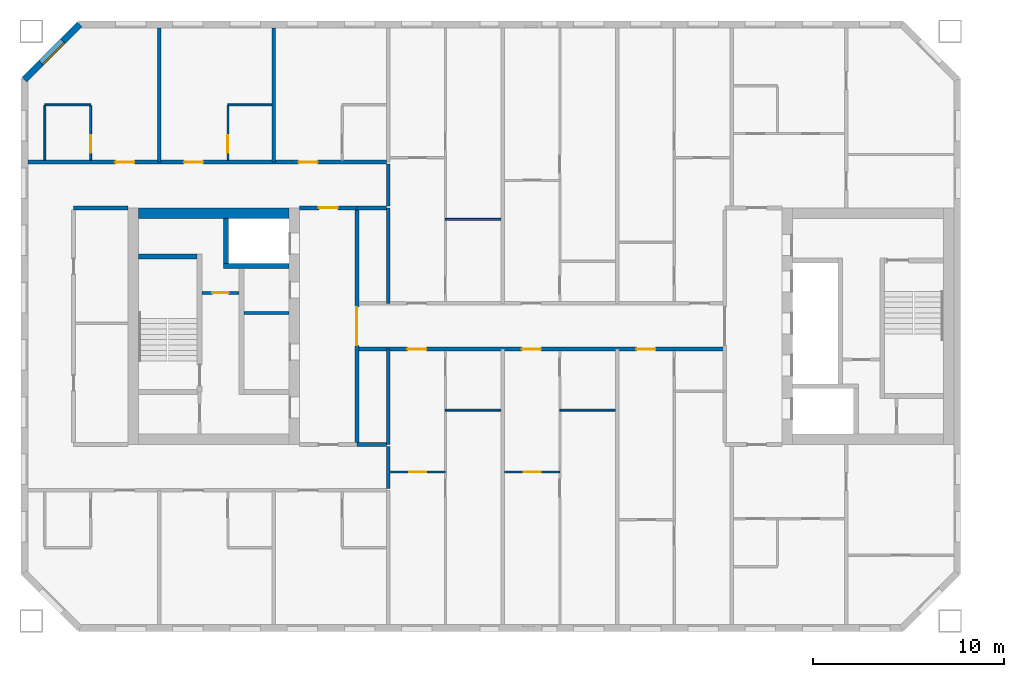
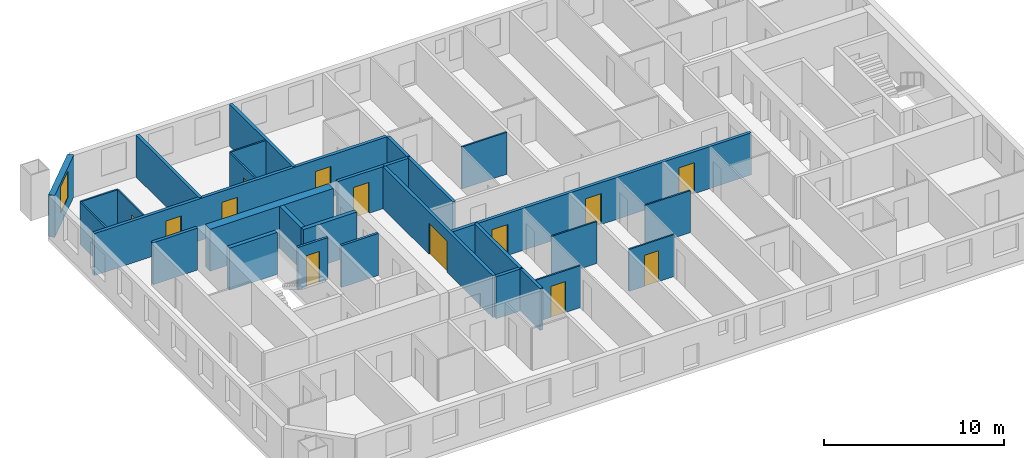
# One storey, part 4 of 16: 30 walls, 13 doors, 1 window, 14 openings.
"""IFC4 building model written with IfcOpenShell, lengths in metres."""

import ifcopenshell
import ifcopenshell.guid

model = None  # the IFC model being written
_history = None  # IfcOwnerHistory: only IFC2X3 demands one
_inside = {}  # id of a spatial element -> (the spatial element, [elements in it])
_under = {}  # id of a project, library or spatial element -> (it, [spatial elements below it])
_declared = {}  # id of a project -> (the project, [libraries it declares])
_typed = {}  # id of a type object -> (the type object, [elements of that type])
_made_of = {}  # id of a material, layer set ... -> (it, [elements and type objects made of it])


def new_model(schema):
    """Start an empty IFC model of exactly this schema.

    Asked for "IFC4X3", IfcOpenShell would pick the latest addendum, in which some entities
    have other attributes; the version numbers below select the first issue.
    IFC2X3 requires an IfcOwnerHistory on every rooted entity: one is made here for all.
    """
    global model, _history
    if schema == "IFC4X3":
        model = ifcopenshell.file(schema_version=(4, 3, 0, 0))
    else:
        model = ifcopenshell.file(schema=schema)
    _inside.clear()
    _under.clear()
    _declared.clear()
    _typed.clear()
    _made_of.clear()
    _history = None
    if model.schema == "IFC2X3":
        org = make("IfcOrganization", Name="unknown")
        user = make(
            "IfcPersonAndOrganization",
            ThePerson=make("IfcPerson", FamilyName="unknown"),
            TheOrganization=org,
        )
        app = make(
            "IfcApplication",
            ApplicationDeveloper=org,
            Version="unknown",
            ApplicationFullName="unknown",
            ApplicationIdentifier="unknown",
        )
        _history = make(
            "IfcOwnerHistory",
            OwningUser=user,
            OwningApplication=app,
            ChangeAction="ADDED",
            CreationDate=0,
        )
    return model


def make(cls, **values):
    """One entity of the class cls with the attributes given. An attribute that is None is left unset."""
    return model.create_entity(
        cls, **{name: value for name, value in values.items() if value is not None}
    )


def rooted(cls, **values):
    """An entity with a GlobalId (a new one), such as an element, a storey or a relation."""
    return make(cls, GlobalId=ifcopenshell.guid.new(), OwnerHistory=_history, **values)


def si_unit(unit_type, name, prefix=None):
    """IfcSIUnit, for example si_unit("LENGTHUNIT", "METRE", prefix="MILLI")."""
    return make("IfcSIUnit", UnitType=unit_type, Prefix=prefix, Name=name)


def assignment(units):
    """IfcUnitAssignment: the units of a project."""
    return None if units is None else make("IfcUnitAssignment", Units=units)


def point(xyz):
    """IfcCartesianPoint."""
    return None if xyz is None else make("IfcCartesianPoint", Coordinates=xyz)


def direction(xyz):
    """IfcDirection."""
    return None if xyz is None else make("IfcDirection", DirectionRatios=xyz)


def frame(location, z_axis=None, x_axis=None):
    """IfcAxis2Placement3D, a coordinate frame: its origin and axes. An axis left out is left unset."""
    return make(
        "IfcAxis2Placement3D",
        Location=point(location),
        Axis=direction(z_axis),
        RefDirection=direction(x_axis),
    )


def frame_2d(location, x_axis=None):
    """IfcAxis2Placement2D, a coordinate frame in the plane: its origin and x axis."""
    return make(
        "IfcAxis2Placement2D", Location=point(location), RefDirection=direction(x_axis)
    )


def origin():
    """The frame at (0, 0, 0) with its axes left unset."""
    return frame((0.0, 0.0, 0.0))


def place(relative_to, where):
    """IfcLocalPlacement: puts the frame where relative to a parent placement (None: the world)."""
    return make(
        "IfcLocalPlacement", PlacementRelTo=relative_to, RelativePlacement=where
    )


def context(
    kind, dimensions, precision=None, world=None, true_north=None, identifier=None
):
    """IfcGeometricRepresentationContext, for example the 3D "Model" context."""
    return make(
        "IfcGeometricRepresentationContext",
        ContextIdentifier=identifier,
        ContextType=kind,
        CoordinateSpaceDimension=dimensions,
        Precision=precision,
        WorldCoordinateSystem=world,
        TrueNorth=true_north,
    )


def subcontext(parent, identifier, kind, view, scale=None):
    """IfcGeometricRepresentationSubContext, for example "Body" below "Model"."""
    return make(
        "IfcGeometricRepresentationSubContext",
        ContextIdentifier=identifier,
        ContextType=kind,
        ParentContext=parent,
        TargetScale=scale,
        TargetView=view,
    )


def project(units=None, contexts=None):
    """IfcProject with its units and contexts."""
    return rooted(
        "IfcProject",
        Name="project",
        RepresentationContexts=contexts,
        UnitsInContext=assignment(units),
    )


def spatial(cls, under=None, at=None, **own):
    """A site, building, storey or space (cls), placed at a placement, below another one or the project."""
    s = rooted(cls, ObjectPlacement=at, **own)
    if under is not None:
        _under.setdefault(under.id(), (under, []))[1].append(s)
    return s


def profile(cls, at=None, kind="AREA", **sizes):
    """A parametric profile (cls). Its sizes go by their IFC names, for example OverallWidth=200.0."""
    return make(cls, ProfileType=kind, Position=at, **sizes)


def rectangle(**sizes):
    """IfcRectangleProfileDef."""
    return profile("IfcRectangleProfileDef", **sizes)


def extrude(swept, where, along, depth):
    """IfcExtrudedAreaSolid: the profile swept, set in the frame where, extruded along a direction by depth."""
    return make(
        "IfcExtrudedAreaSolid",
        SweptArea=swept,
        Position=where,
        ExtrudedDirection=direction(along),
        Depth=depth,
    )


def shape(context_of_items, identifier, shape_type, items):
    """IfcShapeRepresentation: the items that make up one representation, for example the "Body"."""
    return make(
        "IfcShapeRepresentation",
        ContextOfItems=context_of_items,
        RepresentationIdentifier=identifier,
        RepresentationType=shape_type,
        Items=items,
    )


def material(Name=None, Category=None):
    """IfcMaterial."""
    return make("IfcMaterial", Name=Name, Category=Category)


def layer(
    of_material, thickness, ventilated=None, Name=None, Category=None, Priority=None
):
    """IfcMaterialLayer: one layer of a wall or slab, of a material (None: an air gap)."""
    return make(
        "IfcMaterialLayer",
        Material=of_material,
        LayerThickness=thickness,
        IsVentilated=ventilated,
        Name=Name,
        Category=Category,
        Priority=Priority,
    )


def layer_set(layers, Name=None):
    """IfcMaterialLayerSet."""
    return make("IfcMaterialLayerSet", MaterialLayers=layers, LayerSetName=Name)


def made_of(thing, what):
    """Note that an element or type object is made of a material, layer set ...; save() writes the relation."""
    if what is not None:
        _made_of.setdefault(what.id(), (what, []))[1].append(thing)
    return thing


def type_object(cls, material=None, **own):
    """A type object (cls), such as IfcWallType, which elements share."""
    return made_of(rooted(cls, **own), material)


def element(
    cls,
    number,
    at=None,
    inside=None,
    cuts=None,
    type_object=None,
    material=None,
    context=None,
    identifier="Body",
    shape_type=None,
    held_by="IfcProductDefinitionShape",
    body=None,
    shapes=None,
    **own,
):
    """One element of the class cls, such as IfcWall. Its Tag is "e" and its number.

    at: its placement. inside: the storey or other place that contains it. cuts: it is an
    opening in that element (IfcRelVoidsElement). A single representation is given by context,
    identifier, shape_type and body (its items); several are given by shapes. held_by: the class
    of the entity that holds the representations. save() writes the other relations.
    """
    e = rooted(cls, Tag="e%d" % number, ObjectPlacement=at, **own)
    if body is not None:
        shapes = [shape(context, identifier, shape_type, body)]
    if shapes is not None:
        e.Representation = make(held_by, Representations=shapes)
    if inside is not None:
        _inside.setdefault(inside.id(), (inside, []))[1].append(e)
    if cuts is not None:
        rooted(
            "IfcRelVoidsElement", RelatingBuildingElement=cuts, RelatedOpeningElement=e
        )
    if type_object is not None:
        _typed.setdefault(type_object.id(), (type_object, []))[1].append(e)
    return made_of(e, material)


def fill(opening, filler):
    """IfcRelFillsElement: the door or window that sits in an opening."""
    return rooted(
        "IfcRelFillsElement",
        RelatingOpeningElement=opening,
        RelatedBuildingElement=filler,
    )


def aggregate(whole, parts):
    """IfcRelAggregates: a whole, such as a stair, and the parts it consists of."""
    return rooted("IfcRelAggregates", RelatingObject=whole, RelatedObjects=parts)


def save(model, path):
    """Write the relations noted so far, then the file.

    IfcRelAggregates (storeys below a building ...), IfcRelContainedInSpatialStructure (elements
    in a storey), IfcRelDefinesByType, IfcRelAssociatesMaterial and IfcRelDeclares: one each for
    every whole, place, type object, material and project.
    """
    for whole, parts in _under.values():
        aggregate(whole, parts)
    for where, things in _inside.values():
        rooted(
            "IfcRelContainedInSpatialStructure",
            RelatedElements=things,
            RelatingStructure=where,
        )
    for kind, things in _typed.values():
        rooted("IfcRelDefinesByType", RelatedObjects=things, RelatingType=kind)
    for what, things in _made_of.values():
        rooted("IfcRelAssociatesMaterial", RelatedObjects=things, RelatingMaterial=what)
    for by, libraries in _declared.values():
        rooted("IfcRelDeclares", RelatingContext=by, RelatedDefinitions=libraries)
    model.write(path)


model = new_model("IFC4")

# Units and contexts
model_context = context("Model", 3, precision=1e-05, world=origin(), true_north=direction((0.0, 1.0)))
body_context = subcontext(model_context, "Body", "Model", "MODEL_VIEW")
ifc_project = project(units=[si_unit("LENGTHUNIT", "METRE"), si_unit("AREAUNIT", "SQUARE_METRE"), si_unit("VOLUMEUNIT", "CUBIC_METRE"), si_unit("PLANEANGLEUNIT", "RADIAN"), si_unit("MASSUNIT", "GRAM", prefix="KILO")], contexts=[model_context])

# Site, building, storey
site_placement = place(None, origin())
site = spatial("IfcSite", under=ifc_project, at=site_placement, CompositionType="ELEMENT")
building_placement = place(site_placement, origin())
building = spatial("IfcBuilding", under=site, at=building_placement, Name="Tuart Gate Housing", CompositionType="ELEMENT")
storey_placement = place(building_placement, frame((0.0, 0.0, 139.199951171875)))
storey = spatial("IfcBuildingStorey", under=building, at=storey_placement, Name="L39", CompositionType="ELEMENT", Elevation=139.199951171875)

# Wall, opening, window
ifc_material_1 = material(Name="Brick", Category="masonry")
ifc_layer_1 = layer(ifc_material_1, 0.360107421875)
ifc_layer_set_1 = layer_set([ifc_layer_1], Name="Brick pier and spandrel wall 360")
wall_type_1 = type_object("IfcWallType", Name="Brick pier and spandrel wall 360", PredefinedType="STANDARD", material=ifc_layer_set_1)
wall_1_placement = place(storey_placement, frame((29.82470703125, 85.820068359375, 0.0), z_axis=(0.0, 0.0, 1.0), x_axis=(-0.707106781187, -0.707106781187, 0.0)))
wall_1 = element("IfcWall", 1, at=wall_1_placement, inside=storey, type_object=wall_type_1, Name="External wall A-NW L39", PredefinedType="STANDARD", context=body_context, shape_type="SweptSolid", body=[
    extrude(rectangle(XDim=4.09375, YDim=0.360107421875, at=frame_2d((2.046875, 0.0))), origin(), (0.0, 0.0, 1.0), 2.85009765625),
])
opening_1_placement = place(wall_1_placement, frame((1.2470703125, 0.0, 0.800048828125)))
opening_1 = element("IfcOpeningElement", 2, at=opening_1_placement, cuts=wall_1, Name="Opening W1", PredefinedType="OPENING", context=body_context, shape_type="SweptSolid", body=[
    extrude(rectangle(XDim=1.60009765625, YDim=1.800048828125, at=frame_2d((0.800048828125, 0.89990234375))), frame((0.0, 0.18994140625, 0.0), z_axis=(0.0, -1.0, 0.0), x_axis=(1.0, 0.0, 0.0)), (0.0, 0.0, 1.0), 0.380126953125),
])
ifc_material_2 = material(Name="Aluminium frame with clear glass", Category="aluminium")
window_type = type_object("IfcWindowType", Name="Punched window 1600 x 1800", PartitioningType="SINGLE_PANEL", PredefinedType="WINDOW", material=ifc_material_2)
window_placement = place(opening_1_placement, origin())
window = element("IfcWindow", 3, at=window_placement, inside=storey, type_object=window_type, Name="Window W1", OverallHeight=1.800048828125, OverallWidth=1.60009765625, PartitioningType="SINGLE_PANEL", PredefinedType="WINDOW", context=body_context, shape_type="SweptSolid", body=[
    extrude(rectangle(XDim=1.60009765625, YDim=1.800048828125, at=frame_2d((0.800048828125, 0.89990234375))), frame((0.0, 0.150146484375, 0.0), z_axis=(0.0, -1.0, 0.0), x_axis=(1.0, 0.0, 0.0)), (0.0, 0.0, 1.0), 0.06005859375),
])
fill(opening_1, window)

# Wall, opening, door
ifc_material_3 = material(Name="Plasterboard partition")
ifc_layer_2 = layer(ifc_material_3, 0.14990234375)
ifc_layer_set_2 = layer_set([ifc_layer_2], Name="Core partition 150")
wall_type_2 = type_object("IfcWallType", Name="Core partition 150", PredefinedType="PARTITIONING", material=ifc_layer_set_2)
wall_2_placement = place(storey_placement, frame((38.18505859375, 71.75, 0.0), z_axis=(0.0, 0.0, 1.0), x_axis=(-1.0, 0.0, 0.0)))
wall_2 = element("IfcWall", 4, at=wall_2_placement, inside=storey, type_object=wall_type_2, Name="Core partition AK.3", PredefinedType="PARTITIONING", context=body_context, shape_type="SweptSolid", body=[
    extrude(rectangle(XDim=1.949951171875, YDim=0.14990234375, at=frame_2d((0.97509765625, 0.0))), origin(), (0.0, 0.0, 1.0), 2.85009765625),
])
opening_2_placement = place(wall_2_placement, frame((0.550048828125, 0.0, 0.0)))
opening_2 = element("IfcOpeningElement", 5, at=opening_2_placement, cuts=wall_2, Name="Opening D1424", PredefinedType="OPENING", context=body_context, shape_type="SweptSolid", body=[
    extrude(rectangle(XDim=0.85009765625, YDim=2.10009765625, at=frame_2d((0.425048828125, 1.050048828125))), frame((0.0, 0.0849609375, 0.0), z_axis=(0.0, -1.0, 0.0), x_axis=(1.0, 0.0, 0.0)), (0.0, 0.0, 1.0), 0.169921875),
])
ifc_material_4 = material(Name="Steel fire door", Category="steel")
door_type_1 = type_object("IfcDoorType", Name="Riser door 850 x 2100 RH", OperationType="SINGLE_SWING_RIGHT", PredefinedType="DOOR", material=ifc_material_4)
door_1_placement = place(opening_2_placement, frame((0.85009765625, 0.0, 0.0), z_axis=(0.0, 0.0, 1.0), x_axis=(-1.0, 0.0, 0.0)))
door_1 = element("IfcDoor", 6, at=door_1_placement, inside=storey, type_object=door_type_1, Name="Service room door AK.E1", OperationType="SINGLE_SWING_RIGHT", OverallHeight=2.10009765625, OverallWidth=0.85009765625, PredefinedType="DOOR", context=body_context, shape_type="SweptSolid", body=[
    extrude(rectangle(XDim=0.85009765625, YDim=2.10009765625, at=frame_2d((0.425048828125, 1.050048828125))), frame((0.0, 0.025146484375, 0.0), z_axis=(0.0, -1.0, 0.0), x_axis=(1.0, 0.0, 0.0)), (0.0, 0.0, 1.0), 0.050048828125),
])
fill(opening_2, door_1)

# Walls
wall_3_placement = place(storey_placement, frame((40.81005859375, 70.699951171875, 0.0), z_axis=(0.0, 0.0, 1.0), x_axis=(-1.0, 0.0, 0.0)))
element("IfcWall", 7, at=wall_3_placement, inside=storey, type_object=wall_type_2, Name="Core partition AK.4", PredefinedType="PARTITIONING", context=body_context, shape_type="SweptSolid", body=[
    extrude(rectangle(XDim=2.375, YDim=0.14990234375, at=frame_2d((1.1875, 0.0))), origin(), (0.0, 0.0, 1.0), 2.85009765625),
])
ifc_material_5 = material(Name="Concrete C50", Category="concrete")
ifc_layer_3 = layer(ifc_material_5, 0.25)
ifc_layer_set_3 = layer_set([ifc_layer_3], Name="Core wall 250 C50")
wall_type_3 = type_object("IfcWallType", Name="Core wall 250 C50", PredefinedType="SHEAR", material=ifc_layer_set_3)
wall_4_placement = place(storey_placement, frame((35.985107421875, 73.64990234375, 0.0), z_axis=(0.0, 0.0, 1.0), x_axis=(-1.0, 0.0, 0.0)))
element("IfcWall", 8, at=wall_4_placement, inside=storey, type_object=wall_type_3, Name="Core wall AK.1", PredefinedType="SHEAR", context=body_context, shape_type="SweptSolid", body=[
    extrude(rectangle(XDim=3.0751953125, YDim=0.25, at=frame_2d((1.53759765625, 0.0))), origin(), (0.0, 0.0, 1.0), 2.85009765625),
])
wall_5_placement = place(storey_placement, frame((40.81005859375, 73.14990234375, 0.0), z_axis=(0.0, 0.0, 1.0), x_axis=(-1.0, 0.0, 0.0)))
element("IfcWall", 9, at=wall_5_placement, inside=storey, type_object=wall_type_3, Name="Core wall AK.2", PredefinedType="SHEAR", context=body_context, shape_type="SweptSolid", body=[
    extrude(rectangle(XDim=3.445068359375, YDim=0.25, at=frame_2d((1.72265625, 0.0))), origin(), (0.0, 0.0, 1.0), 2.85009765625),
])
wall_6_placement = place(storey_placement, frame((37.489990234375, 75.64990234375, 0.0), z_axis=(0.0, 0.0, 1.0), x_axis=(0.0, -1.0, 0.0)))
element("IfcWall", 10, at=wall_6_placement, inside=storey, type_object=wall_type_3, Name="Core wall AK.8", PredefinedType="SHEAR", context=body_context, shape_type="SweptSolid", body=[
    extrude(rectangle(XDim=2.375, YDim=0.25, at=frame_2d((1.1875, 0.0))), origin(), (0.0, 0.0, 1.0), 2.85009765625),
])
ifc_material_6 = material(Name="Concrete C50", Category="concrete")
ifc_layer_4 = layer(ifc_material_6, 0.550048828125)
ifc_layer_set_4 = layer_set([ifc_layer_4], Name="Core wall 550 C50")
wall_type_4 = type_object("IfcWallType", Name="Core wall 550 C50", PredefinedType="SHEAR", material=ifc_layer_set_4)
wall_7_placement = place(storey_placement, frame((40.81005859375, 75.925048828125, 0.0), z_axis=(0.0, 0.0, 1.0), x_axis=(-1.0, 0.0, 0.0)))
element("IfcWall", 11, at=wall_7_placement, inside=storey, type_object=wall_type_4, Name="Core wall AK south", PredefinedType="SHEAR", context=body_context, shape_type="SweptSolid", body=[
    extrude(rectangle(XDim=7.900146484375, YDim=0.550048828125, at=frame_2d((3.9501953125, 0.0))), origin(), (0.0, 0.0, 1.0), 2.85009765625),
])
ifc_material_7 = material(Name="Concrete masonry 15 MPa", Category="masonry")
ifc_layer_5 = layer(ifc_material_7, 0.199951171875)
ifc_layer_set_5 = layer_set([ifc_layer_5], Name="Corridor wall masonry 200")
wall_type_5 = type_object("IfcWallType", Name="Corridor wall masonry 200", PredefinedType="PARTITIONING", material=ifc_layer_set_5)
wall_8_placement = place(storey_placement, frame((44.360107421875, 63.800048828125, 0.0), z_axis=(0.0, 0.0, 1.0), x_axis=(1.0, 0.0, 0.0)))
element("IfcWall", 12, at=wall_8_placement, inside=storey, type_object=wall_type_5, Name="Corridor wall masonry 200", PredefinedType="PARTITIONING", context=body_context, shape_type="SweptSolid", body=[
    extrude(rectangle(XDim=1.539794921875, YDim=0.199951171875, at=frame_2d((0.77001953125, 0.0))), origin(), (0.0, 0.0, 1.0), 2.85009765625),
])

# Wall, openings, doors
wall_9_placement = place(storey_placement, frame((44.360107421875, 68.800048828125, 0.0), z_axis=(0.0, 0.0, 1.0), x_axis=(1.0, 0.0, 0.0)))
wall_9 = element("IfcWall", 13, at=wall_9_placement, inside=storey, type_object=wall_type_5, Name="Corridor wall masonry 200", PredefinedType="PARTITIONING", context=body_context, shape_type="SweptSolid", body=[
    extrude(rectangle(XDim=19.27978515625, YDim=0.199951171875, at=frame_2d((9.639892578125, 0.0))), origin(), (0.0, 0.0, 1.0), 2.85009765625),
])
opening_3_placement = place(wall_9_placement, frame((14.639892578125, 0.0, 0.0)))
opening_3 = element("IfcOpeningElement", 14, at=opening_3_placement, cuts=wall_9, Name="Opening D1437", PredefinedType="OPENING", context=body_context, shape_type="SweptSolid", body=[
    extrude(rectangle(XDim=1.0, YDim=2.10009765625, at=frame_2d((0.5, 1.050048828125))), frame((0.0, 0.10986328125, 0.0), z_axis=(0.0, -1.0, 0.0), x_axis=(1.0, 0.0, 0.0)), (0.0, 0.0, 1.0), 0.219970703125),
])
opening_4_placement = place(wall_9_placement, frame((8.639892578125, 0.0, 0.0)))
opening_4 = element("IfcOpeningElement", 15, at=opening_4_placement, cuts=wall_9, Name="Opening D1438", PredefinedType="OPENING", context=body_context, shape_type="SweptSolid", body=[
    extrude(rectangle(XDim=1.0, YDim=2.10009765625, at=frame_2d((0.5, 1.050048828125))), frame((0.0, 0.10986328125, 0.0), z_axis=(0.0, -1.0, 0.0), x_axis=(1.0, 0.0, 0.0)), (0.0, 0.0, 1.0), 0.219970703125),
])
opening_5_placement = place(wall_9_placement, frame((2.639892578125, 0.0, 0.0)))
opening_5 = element("IfcOpeningElement", 16, at=opening_5_placement, cuts=wall_9, Name="Opening D1439", PredefinedType="OPENING", context=body_context, shape_type="SweptSolid", body=[
    extrude(rectangle(XDim=1.0, YDim=2.10009765625, at=frame_2d((0.5, 1.050048828125))), frame((0.0, 0.10986328125, 0.0), z_axis=(0.0, -1.0, 0.0), x_axis=(1.0, 0.0, 0.0)), (0.0, 0.0, 1.0), 0.219970703125),
])
ifc_material_8 = material(Name="Timber door leaf in steel frame", Category="steel")
door_type_2 = type_object("IfcDoorType", Name="Flat entrance door 1000 RH", OperationType="SINGLE_SWING_RIGHT", PredefinedType="DOOR", material=ifc_material_8)
door_2_placement = place(opening_3_placement, frame((1.0, 0.0, 0.0), z_axis=(0.0, 0.0, 1.0), x_axis=(-1.0, 0.0, 0.0)))
door_2 = element("IfcDoor", 17, at=door_2_placement, inside=storey, type_object=door_type_2, Name="Flat entrance door", OperationType="SINGLE_SWING_RIGHT", OverallHeight=2.10009765625, OverallWidth=1.0, PredefinedType="DOOR", context=body_context, shape_type="SweptSolid", body=[
    extrude(rectangle(XDim=1.0, YDim=2.10009765625, at=frame_2d((0.5, 1.050048828125))), frame((0.0, 0.025146484375, 0.0), z_axis=(0.0, -1.0, 0.0), x_axis=(1.0, 0.0, 0.0)), (0.0, 0.0, 1.0), 0.050048828125),
])
fill(opening_3, door_2)
door_3_placement = place(opening_4_placement, frame((1.0, 0.0, 0.0), z_axis=(0.0, 0.0, 1.0), x_axis=(-1.0, 0.0, 0.0)))
door_3 = element("IfcDoor", 18, at=door_3_placement, inside=storey, type_object=door_type_2, Name="Flat entrance door", OperationType="SINGLE_SWING_RIGHT", OverallHeight=2.10009765625, OverallWidth=1.0, PredefinedType="DOOR", context=body_context, shape_type="SweptSolid", body=[
    extrude(rectangle(XDim=1.0, YDim=2.10009765625, at=frame_2d((0.5, 1.050048828125))), frame((0.0, 0.025146484375, 0.0), z_axis=(0.0, -1.0, 0.0), x_axis=(1.0, 0.0, 0.0)), (0.0, 0.0, 1.0), 0.050048828125),
])
fill(opening_4, door_3)
door_4_placement = place(opening_5_placement, frame((1.0, 0.0, 0.0), z_axis=(0.0, 0.0, 1.0), x_axis=(-1.0, 0.0, 0.0)))
door_4 = element("IfcDoor", 19, at=door_4_placement, inside=storey, type_object=door_type_2, Name="Flat entrance door", OperationType="SINGLE_SWING_RIGHT", OverallHeight=2.10009765625, OverallWidth=1.0, PredefinedType="DOOR", context=body_context, shape_type="SweptSolid", body=[
    extrude(rectangle(XDim=1.0, YDim=2.10009765625, at=frame_2d((0.5, 1.050048828125))), frame((0.0, 0.025146484375, 0.0), z_axis=(0.0, -1.0, 0.0), x_axis=(1.0, 0.0, 0.0)), (0.0, 0.0, 1.0), 0.050048828125),
])
fill(opening_5, door_4)

# Walls
wall_10_placement = place(storey_placement, frame((29.510009765625, 76.199951171875, 0.0), z_axis=(0.0, 0.0, 1.0), x_axis=(1.0, 0.0, 0.0)))
element("IfcWall", 20, at=wall_10_placement, inside=storey, type_object=wall_type_5, Name="Corridor wall masonry 200", PredefinedType="PARTITIONING", context=body_context, shape_type="SweptSolid", body=[
    extrude(rectangle(XDim=2.85009765625, YDim=0.199951171875, at=frame_2d((1.425048828125, 0.0))), origin(), (0.0, 0.0, 1.0), 2.85009765625),
])
wall_11_placement = place(storey_placement, frame((44.360107421875, 76.199951171875, 0.0), z_axis=(0.0, 0.0, 1.0), x_axis=(1.0, 0.0, 0.0)))
element("IfcWall", 21, at=wall_11_placement, inside=storey, type_object=wall_type_5, Name="Corridor wall masonry 200", PredefinedType="PARTITIONING", context=body_context, shape_type="SweptSolid", body=[
    extrude(rectangle(XDim=1.539794921875, YDim=0.199951171875, at=frame_2d((0.77001953125, 0.0))), origin(), (0.0, 0.0, 1.0), 2.85009765625),
])

# Wall, openings, doors
wall_12_placement = place(storey_placement, frame((27.110107421875, 78.60009765625, 0.0), z_axis=(0.0, 0.0, 1.0), x_axis=(1.0, 0.0, 0.0)))
wall_12 = element("IfcWall", 22, at=wall_12_placement, inside=storey, type_object=wall_type_5, Name="Corridor wall masonry 200", PredefinedType="PARTITIONING", context=body_context, shape_type="SweptSolid", body=[
    extrude(rectangle(XDim=18.789794921875, YDim=0.199951171875, at=frame_2d((9.39501953125, 0.0))), origin(), (0.0, 0.0, 1.0), 2.85009765625),
])
opening_6_placement = place(wall_12_placement, frame((14.18994140625, 0.0, 0.0)))
opening_6 = element("IfcOpeningElement", 23, at=opening_6_placement, cuts=wall_12, Name="Opening D1411", PredefinedType="OPENING", context=body_context, shape_type="SweptSolid", body=[
    extrude(rectangle(XDim=1.0, YDim=2.10009765625, at=frame_2d((0.5, 1.050048828125))), frame((0.0, 0.10986328125, 0.0), z_axis=(0.0, -1.0, 0.0), x_axis=(1.0, 0.0, 0.0)), (0.0, 0.0, 1.0), 0.219970703125),
])
opening_7_placement = place(wall_12_placement, frame((8.18994140625, 0.0, 0.0)))
opening_7 = element("IfcOpeningElement", 24, at=opening_7_placement, cuts=wall_12, Name="Opening D1412", PredefinedType="OPENING", context=body_context, shape_type="SweptSolid", body=[
    extrude(rectangle(XDim=1.0, YDim=2.10009765625, at=frame_2d((0.5, 1.050048828125))), frame((0.0, 0.10986328125, 0.0), z_axis=(0.0, -1.0, 0.0), x_axis=(1.0, 0.0, 0.0)), (0.0, 0.0, 1.0), 0.219970703125),
])
opening_8_placement = place(wall_12_placement, frame((4.590087890625, 0.0, 0.0)))
opening_8 = element("IfcOpeningElement", 25, at=opening_8_placement, cuts=wall_12, Name="Opening D1413", PredefinedType="OPENING", context=body_context, shape_type="SweptSolid", body=[
    extrude(rectangle(XDim=1.0, YDim=2.10009765625, at=frame_2d((0.5, 1.050048828125))), frame((0.0, 0.10986328125, 0.0), z_axis=(0.0, -1.0, 0.0), x_axis=(1.0, 0.0, 0.0)), (0.0, 0.0, 1.0), 0.219970703125),
])
ifc_material_9 = material(Name="Timber door leaf in steel frame", Category="steel")
door_type_3 = type_object("IfcDoorType", Name="Flat entrance door 1000", OperationType="SINGLE_SWING_LEFT", PredefinedType="DOOR", material=ifc_material_9)
door_5_placement = place(opening_6_placement, origin())
door_5 = element("IfcDoor", 26, at=door_5_placement, inside=storey, type_object=door_type_3, Name="Flat entrance door", OperationType="SINGLE_SWING_LEFT", OverallHeight=2.10009765625, OverallWidth=1.0, PredefinedType="DOOR", context=body_context, shape_type="SweptSolid", body=[
    extrude(rectangle(XDim=1.0, YDim=2.10009765625, at=frame_2d((0.5, 1.050048828125))), frame((0.0, 0.02490234375, 0.0), z_axis=(0.0, -1.0, 0.0), x_axis=(1.0, 0.0, 0.0)), (0.0, 0.0, 1.0), 0.050048828125),
])
fill(opening_6, door_5)
door_6_placement = place(opening_7_placement, origin())
door_6 = element("IfcDoor", 27, at=door_6_placement, inside=storey, type_object=door_type_3, Name="Flat entrance door", OperationType="SINGLE_SWING_LEFT", OverallHeight=2.10009765625, OverallWidth=1.0, PredefinedType="DOOR", context=body_context, shape_type="SweptSolid", body=[
    extrude(rectangle(XDim=1.0, YDim=2.10009765625, at=frame_2d((0.5, 1.050048828125))), frame((0.0, 0.02490234375, 0.0), z_axis=(0.0, -1.0, 0.0), x_axis=(1.0, 0.0, 0.0)), (0.0, 0.0, 1.0), 0.050048828125),
])
fill(opening_7, door_6)
door_7_placement = place(opening_8_placement, origin())
door_7 = element("IfcDoor", 28, at=door_7_placement, inside=storey, type_object=door_type_3, Name="Flat entrance door", OperationType="SINGLE_SWING_LEFT", OverallHeight=2.10009765625, OverallWidth=1.0, PredefinedType="DOOR", context=body_context, shape_type="SweptSolid", body=[
    extrude(rectangle(XDim=1.0, YDim=2.10009765625, at=frame_2d((0.5, 1.050048828125))), frame((0.0, 0.02490234375, 0.0), z_axis=(0.0, -1.0, 0.0), x_axis=(1.0, 0.0, 0.0)), (0.0, 0.0, 1.0), 0.050048828125),
])
fill(opening_8, door_7)

# Walls
for number, where, z_axis, x_axis, name in (
    (29, (46.0, 61.5, 0.0), (0.0, 0.0, 1.0), (0.0, 1.0, 0.0), "Corridor wall masonry 200"),
    (30, (46.0, 76.300048828125, 0.0), (0.0, 0.0, 1.0), (0.0, 1.0, 0.0), "Corridor wall masonry 200"),
):
    element("IfcWall", number, at=place(storey_placement, frame(where, z_axis=z_axis, x_axis=x_axis)), inside=storey, type_object=wall_type_5, Name=name, PredefinedType="PARTITIONING", context=body_context, shape_type="SweptSolid", body=[
        extrude(rectangle(XDim=2.199951171875, YDim=0.199951171875, at=frame_2d((1.10009765625, 0.0))), origin(), (0.0, 0.0, 1.0), 2.85009765625),
    ])

# Wall, opening, door
ifc_material_10 = material(Name="Concrete masonry 15 MPa", Category="masonry")
ifc_layer_6 = layer(ifc_material_10, 0.199951171875)
ifc_layer_set_6 = layer_set([ifc_layer_6], Name="Enclosure wall masonry 200")
wall_type_6 = type_object("IfcWallType", Name="Enclosure wall masonry 200", PredefinedType="PARTITIONING", material=ifc_layer_set_6)
wall_13_placement = place(storey_placement, frame((41.360107421875, 76.199951171875, 0.0), z_axis=(0.0, 0.0, 1.0), x_axis=(1.0, 0.0, 0.0)))
wall_13 = element("IfcWall", 31, at=wall_13_placement, inside=storey, type_object=wall_type_6, Name="Enclosure wall masonry 200", PredefinedType="PARTITIONING", context=body_context, shape_type="SweptSolid", body=[
    extrude(rectangle(XDim=3.0, YDim=0.199951171875, at=frame_2d((1.5, 0.0))), origin(), (0.0, 0.0, 1.0), 2.85009765625),
])
opening_9_placement = place(wall_13_placement, frame((1.0, 0.0, 0.0)))
opening_9 = element("IfcOpeningElement", 32, at=opening_9_placement, cuts=wall_13, Name="Opening D1421", PredefinedType="OPENING", context=body_context, shape_type="SweptSolid", body=[
    extrude(rectangle(XDim=1.0, YDim=2.10009765625, at=frame_2d((0.5, 1.050048828125))), frame((0.0, 0.10986328125, 0.0), z_axis=(0.0, -1.0, 0.0), x_axis=(1.0, 0.0, 0.0)), (0.0, 0.0, 1.0), 0.219970703125),
])
ifc_material_11 = material(Name="Timber door leaf in steel frame", Category="steel")
door_type_4 = type_object("IfcDoorType", Name="Fire door 1000 RH", OperationType="SINGLE_SWING_RIGHT", PredefinedType="DOOR", material=ifc_material_11)
door_8_placement = place(opening_9_placement, origin())
door_8 = element("IfcDoor", 33, at=door_8_placement, inside=storey, type_object=door_type_4, Name="Fire door", OperationType="SINGLE_SWING_RIGHT", OverallHeight=2.10009765625, OverallWidth=1.0, PredefinedType="DOOR", context=body_context, shape_type="SweptSolid", body=[
    extrude(rectangle(XDim=1.0, YDim=2.10009765625, at=frame_2d((0.5, 1.050048828125))), frame((0.0, 0.02490234375, 0.0), z_axis=(0.0, -1.0, 0.0), x_axis=(1.0, 0.0, 0.0)), (0.0, 0.0, 1.0), 0.050048828125),
])
fill(opening_9, door_8)

ifc_material_12 = material(Name="Plasterboard partition")
ifc_layer_7 = layer(ifc_material_12, 0.199951171875)
ifc_layer_set_7 = layer_set([ifc_layer_7], Name="Lobby wall 200")
wall_type_7 = type_object("IfcWallType", Name="Lobby wall 200", PredefinedType="PARTITIONING", material=ifc_layer_set_7)
wall_14_placement = place(storey_placement, frame((44.360107421875, 63.89990234375, 0.0), z_axis=(0.0, 0.0, 1.0), x_axis=(0.0, 1.0, 0.0)))
wall_14 = element("IfcWall", 34, at=wall_14_placement, inside=storey, type_object=wall_type_7, Name="Lift lobby wall AK", PredefinedType="PARTITIONING", context=body_context, shape_type="SweptSolid", body=[
    extrude(rectangle(XDim=12.2001953125, YDim=0.199951171875, at=frame_2d((6.10009765625, 0.0))), origin(), (0.0, 0.0, 1.0), 2.85009765625),
])
opening_10_placement = place(wall_14_placement, frame((5.10009765625, 0.0, 0.0)))
opening_10 = element("IfcOpeningElement", 35, at=opening_10_placement, cuts=wall_14, Name="Opening D1434", PredefinedType="OPENING", context=body_context, shape_type="SweptSolid", body=[
    extrude(rectangle(XDim=2.0, YDim=2.10009765625, at=frame_2d((1.0, 1.050048828125))), frame((0.0, 0.10986328125, 0.0), z_axis=(0.0, -1.0, 0.0), x_axis=(1.0, 0.0, 0.0)), (0.0, 0.0, 1.0), 0.219970703125),
])
ifc_material_13 = material(Name="Steel fire door", Category="steel")
door_type_5 = type_object("IfcDoorType", Name="Smoke door 2000 x 2100", OperationType="DOUBLE_DOOR_SINGLE_SWING", PredefinedType="DOOR", material=ifc_material_13)
door_9_placement = place(opening_10_placement, origin())
door_9 = element("IfcDoor", 36, at=door_9_placement, inside=storey, type_object=door_type_5, Name="Lift lobby smoke door AK", OperationType="DOUBLE_DOOR_SINGLE_SWING", OverallHeight=2.10009765625, OverallWidth=2.0, PredefinedType="DOOR", context=body_context, shape_type="SweptSolid", body=[
    extrude(rectangle(XDim=2.0, YDim=2.10009765625, at=frame_2d((1.0, 1.050048828125))), frame((0.0, 0.02490234375, 0.0), z_axis=(0.0, -1.0, 0.0), x_axis=(1.0, 0.0, 0.0)), (0.0, 0.0, 1.0), 0.050048828125),
])
fill(opening_10, door_9)

ifc_material_14 = material(Name="Gypsum board on steel studs", Category="steel")
ifc_layer_8 = layer(ifc_material_14, 0.10009765625)
ifc_layer_set_8 = layer_set([ifc_layer_8], Name="Partition 100")
wall_type_8 = type_object("IfcWallType", Name="Partition 100", PredefinedType="PARTITIONING", material=ifc_layer_set_8)
wall_15_placement = place(storey_placement, frame((46.10009765625, 62.360107421875, 0.0), z_axis=(0.0, 0.0, 1.0), x_axis=(1.0, 0.0, 0.0)))
wall_15 = element("IfcWall", 37, at=wall_15_placement, inside=storey, type_object=wall_type_8, Name="Partition 100", PredefinedType="PARTITIONING", context=body_context, shape_type="SweptSolid", body=[
    extrude(rectangle(XDim=2.89990234375, YDim=0.10009765625, at=frame_2d((1.449951171875, 0.0))), origin(), (0.0, 0.0, 1.0), 2.85009765625),
])
opening_11_placement = place(wall_15_placement, frame((1.0, 0.0, 0.0)))
opening_11 = element("IfcOpeningElement", 38, at=opening_11_placement, cuts=wall_15, Name="Opening D1445", PredefinedType="OPENING", context=body_context, shape_type="SweptSolid", body=[
    extrude(rectangle(XDim=0.89990234375, YDim=2.10009765625, at=frame_2d((0.449951171875, 1.050048828125))), frame((0.0, 0.06005859375, 0.0), z_axis=(0.0, -1.0, 0.0), x_axis=(1.0, 0.0, 0.0)), (0.0, 0.0, 1.0), 0.1201171875),
])
ifc_material_15 = material(Name="Timber door leaf in steel frame", Category="steel")
door_type_6 = type_object("IfcDoorType", Name="Internal door 900 RH", OperationType="SINGLE_SWING_RIGHT", PredefinedType="DOOR", material=ifc_material_15)
door_10_placement = place(opening_11_placement, origin())
door_10 = element("IfcDoor", 39, at=door_10_placement, inside=storey, type_object=door_type_6, Name="Internal door", OperationType="SINGLE_SWING_RIGHT", OverallHeight=2.10009765625, OverallWidth=0.89990234375, PredefinedType="DOOR", context=body_context, shape_type="SweptSolid", body=[
    extrude(rectangle(XDim=0.89990234375, YDim=2.10009765625, at=frame_2d((0.449951171875, 1.050048828125))), frame((0.0, 0.02490234375, 0.0), z_axis=(0.0, -1.0, 0.0), x_axis=(1.0, 0.0, 0.0)), (0.0, 0.0, 1.0), 0.050048828125),
])
fill(opening_11, door_10)

wall_16_placement = place(storey_placement, frame((52.10009765625, 62.360107421875, 0.0), z_axis=(0.0, 0.0, 1.0), x_axis=(1.0, 0.0, 0.0)))
wall_16 = element("IfcWall", 40, at=wall_16_placement, inside=storey, type_object=wall_type_8, Name="Partition 100", PredefinedType="PARTITIONING", context=body_context, shape_type="SweptSolid", body=[
    extrude(rectangle(XDim=2.89990234375, YDim=0.10009765625, at=frame_2d((1.449951171875, 0.0))), origin(), (0.0, 0.0, 1.0), 2.85009765625),
])
opening_12_placement = place(wall_16_placement, frame((1.0, 0.0, 0.0)))
opening_12 = element("IfcOpeningElement", 41, at=opening_12_placement, cuts=wall_16, Name="Opening D1446", PredefinedType="OPENING", context=body_context, shape_type="SweptSolid", body=[
    extrude(rectangle(XDim=0.89990234375, YDim=2.10009765625, at=frame_2d((0.449951171875, 1.050048828125))), frame((0.0, 0.06005859375, 0.0), z_axis=(0.0, -1.0, 0.0), x_axis=(1.0, 0.0, 0.0)), (0.0, 0.0, 1.0), 0.1201171875),
])
door_11_placement = place(opening_12_placement, origin())
door_11 = element("IfcDoor", 42, at=door_11_placement, inside=storey, type_object=door_type_6, Name="Internal door", OperationType="SINGLE_SWING_RIGHT", OverallHeight=2.10009765625, OverallWidth=0.89990234375, PredefinedType="DOOR", context=body_context, shape_type="SweptSolid", body=[
    extrude(rectangle(XDim=0.89990234375, YDim=2.10009765625, at=frame_2d((0.449951171875, 1.050048828125))), frame((0.0, 0.02490234375, 0.0), z_axis=(0.0, -1.0, 0.0), x_axis=(1.0, 0.0, 0.0)), (0.0, 0.0, 1.0), 0.050048828125),
])
fill(opening_12, door_11)

# Walls
for number, where, z_axis, x_axis, name in (
    (43, (49.0, 65.60009765625, 0.0), (0.0, 0.0, 1.0), (1.0, 0.0, 0.0), "Partition 100"),
    (44, (55.0, 65.60009765625, 0.0), (0.0, 0.0, 1.0), (1.0, 0.0, 0.0), "Partition 100"),
    (45, (49.0, 75.60009765625, 0.0), (0.0, 0.0, 1.0), (1.0, 0.0, 0.0), "Partition 100"),
):
    element("IfcWall", number, at=place(storey_placement, frame(where, z_axis=z_axis, x_axis=x_axis)), inside=storey, type_object=wall_type_8, Name=name, PredefinedType="PARTITIONING", context=body_context, shape_type="SweptSolid", body=[
        extrude(rectangle(XDim=2.89990234375, YDim=0.10009765625, at=frame_2d((1.449951171875, 0.0))), origin(), (0.0, 0.0, 1.0), 2.85009765625),
    ])
wall_17_placement = place(storey_placement, frame((28.0, 81.60009765625, 0.0), z_axis=(0.0, 0.0, 1.0), x_axis=(1.0, 0.0, 0.0)))
element("IfcWall", 46, at=wall_17_placement, inside=storey, type_object=wall_type_8, Name="Partition 100", PredefinedType="PARTITIONING", context=body_context, shape_type="SweptSolid", body=[
    extrude(rectangle(XDim=2.39990234375, YDim=0.10009765625, at=frame_2d((1.199951171875, 0.0))), origin(), (0.0, 0.0, 1.0), 2.85009765625),
])
wall_18_placement = place(storey_placement, frame((37.60009765625, 81.60009765625, 0.0), z_axis=(0.0, 0.0, 1.0), x_axis=(1.0, 0.0, 0.0)))
element("IfcWall", 47, at=wall_18_placement, inside=storey, type_object=wall_type_8, Name="Partition 100", PredefinedType="PARTITIONING", context=body_context, shape_type="SweptSolid", body=[
    extrude(rectangle(XDim=2.2998046875, YDim=0.10009765625, at=frame_2d((1.14990234375, 0.0))), origin(), (0.0, 0.0, 1.0), 2.85009765625),
])
wall_19_placement = place(storey_placement, frame((28.0, 78.699951171875, 0.0), z_axis=(0.0, 0.0, 1.0), x_axis=(0.0, 1.0, 0.0)))
element("IfcWall", 48, at=wall_19_placement, inside=storey, type_object=wall_type_8, Name="Partition 100", PredefinedType="PARTITIONING", context=body_context, shape_type="SweptSolid", body=[
    extrude(rectangle(XDim=2.85009765625, YDim=0.10009765625, at=frame_2d((1.425048828125, 0.0))), origin(), (0.0, 0.0, 1.0), 2.85009765625),
])

# Wall, opening, door
wall_20_placement = place(storey_placement, frame((30.39990234375, 78.699951171875, 0.0), z_axis=(0.0, 0.0, 1.0), x_axis=(0.0, 1.0, 0.0)))
wall_20 = element("IfcWall", 49, at=wall_20_placement, inside=storey, type_object=wall_type_8, Name="Partition 100", PredefinedType="PARTITIONING", context=body_context, shape_type="SweptSolid", body=[
    extrude(rectangle(XDim=2.85009765625, YDim=0.10009765625, at=frame_2d((1.425048828125, 0.0))), origin(), (0.0, 0.0, 1.0), 2.85009765625),
])
opening_13_placement = place(wall_20_placement, frame((0.39990234375, 0.0, 0.0)))
opening_13 = element("IfcOpeningElement", 50, at=opening_13_placement, cuts=wall_20, Name="Opening D1404", PredefinedType="OPENING", context=body_context, shape_type="SweptSolid", body=[
    extrude(rectangle(XDim=0.89990234375, YDim=2.10009765625, at=frame_2d((0.449951171875, 1.050048828125))), frame((0.0, 0.06005859375, 0.0), z_axis=(0.0, -1.0, 0.0), x_axis=(1.0, 0.0, 0.0)), (0.0, 0.0, 1.0), 0.1201171875),
])
ifc_material_16 = material(Name="Timber door leaf in steel frame", Category="steel")
door_type_7 = type_object("IfcDoorType", Name="Bathroom door 900", OperationType="SINGLE_SWING_LEFT", PredefinedType="DOOR", material=ifc_material_16)
door_12_placement = place(opening_13_placement, origin())
door_12 = element("IfcDoor", 51, at=door_12_placement, inside=storey, type_object=door_type_7, Name="Bathroom door", OperationType="SINGLE_SWING_LEFT", OverallHeight=2.10009765625, OverallWidth=0.89990234375, PredefinedType="DOOR", context=body_context, shape_type="SweptSolid", body=[
    extrude(rectangle(XDim=0.89990234375, YDim=2.10009765625, at=frame_2d((0.449951171875, 1.050048828125))), frame((0.0, 0.02490234375, 0.0), z_axis=(0.0, -1.0, 0.0), x_axis=(1.0, 0.0, 0.0)), (0.0, 0.0, 1.0), 0.050048828125),
])
fill(opening_13, door_12)

wall_21_placement = place(storey_placement, frame((37.60009765625, 78.699951171875, 0.0), z_axis=(0.0, 0.0, 1.0), x_axis=(0.0, 1.0, 0.0)))
wall_21 = element("IfcWall", 52, at=wall_21_placement, inside=storey, type_object=wall_type_8, Name="Partition 100", PredefinedType="PARTITIONING", context=body_context, shape_type="SweptSolid", body=[
    extrude(rectangle(XDim=2.85009765625, YDim=0.10009765625, at=frame_2d((1.425048828125, 0.0))), origin(), (0.0, 0.0, 1.0), 2.85009765625),
])
opening_14_placement = place(wall_21_placement, frame((0.39990234375, 0.0, 0.0)))
opening_14 = element("IfcOpeningElement", 53, at=opening_14_placement, cuts=wall_21, Name="Opening D1405", PredefinedType="OPENING", context=body_context, shape_type="SweptSolid", body=[
    extrude(rectangle(XDim=0.89990234375, YDim=2.10009765625, at=frame_2d((0.449951171875, 1.050048828125))), frame((0.0, 0.06005859375, 0.0), z_axis=(0.0, -1.0, 0.0), x_axis=(1.0, 0.0, 0.0)), (0.0, 0.0, 1.0), 0.1201171875),
])
ifc_material_17 = material(Name="Timber door leaf in steel frame", Category="steel")
door_type_8 = type_object("IfcDoorType", Name="Bathroom door 900 RH", OperationType="SINGLE_SWING_RIGHT", PredefinedType="DOOR", material=ifc_material_17)
door_13_placement = place(opening_14_placement, frame((0.89990234375, 0.0, 0.0), z_axis=(0.0, 0.0, 1.0), x_axis=(-1.0, 0.0, 0.0)))
door_13 = element("IfcDoor", 54, at=door_13_placement, inside=storey, type_object=door_type_8, Name="Bathroom door", OperationType="SINGLE_SWING_RIGHT", OverallHeight=2.10009765625, OverallWidth=0.89990234375, PredefinedType="DOOR", context=body_context, shape_type="SweptSolid", body=[
    extrude(rectangle(XDim=0.89990234375, YDim=2.10009765625, at=frame_2d((0.449951171875, 1.050048828125))), frame((0.0, 0.025146484375, 0.0), z_axis=(0.0, -1.0, 0.0), x_axis=(1.0, 0.0, 0.0)), (0.0, 0.0, 1.0), 0.050048828125),
])
fill(opening_14, door_13)

# Walls
ifc_material_18 = material(Name="Concrete C40", Category="concrete")
ifc_layer_9 = layer(ifc_material_18, 0.199951171875)
ifc_layer_set_9 = layer_set([ifc_layer_9], Name="Party wall concrete C40 200")
wall_type_9 = type_object("IfcWallType", Name="Party wall concrete C40 200", PredefinedType="SOLIDWALL", material=ifc_layer_set_9)
for number, where, z_axis, x_axis, name in (
    (55, (34.0, 78.60009765625, 0.0), (0.0, 0.0, 1.0), (0.0, 1.0, 0.0), "Party wall concrete C40 200"),
    (56, (40.0, 78.60009765625, 0.0), (0.0, 0.0, 1.0), (0.0, 1.0, 0.0), "Party wall concrete C40 200"),
):
    element("IfcWall", number, at=place(storey_placement, frame(where, z_axis=z_axis, x_axis=x_axis)), inside=storey, type_object=wall_type_9, Name=name, PredefinedType="SOLIDWALL", context=body_context, shape_type="SweptSolid", body=[
        extrude(rectangle(XDim=7.039794921875, YDim=0.199951171875, at=frame_2d((3.52001953125, 0.0))), origin(), (0.0, 0.0, 1.0), 2.85009765625),
    ])
for number, where, z_axis, x_axis, name in (
    (57, (46.0, 63.800048828125, 0.0), (0.0, 0.0, 1.0), (0.0, 1.0, 0.0), "Party wall concrete C40 200"),
    (58, (46.0, 71.199951171875, 0.0), (0.0, 0.0, 1.0), (0.0, 1.0, 0.0), "Party wall concrete C40 200"),
):
    element("IfcWall", number, at=place(storey_placement, frame(where, z_axis=z_axis, x_axis=x_axis)), inside=storey, type_object=wall_type_9, Name=name, PredefinedType="SOLIDWALL", context=body_context, shape_type="SweptSolid", body=[
        extrude(rectangle(XDim=5.0, YDim=0.199951171875, at=frame_2d((2.5, 0.0))), origin(), (0.0, 0.0, 1.0), 2.85009765625),
    ])

save(model, "model.ifc")
